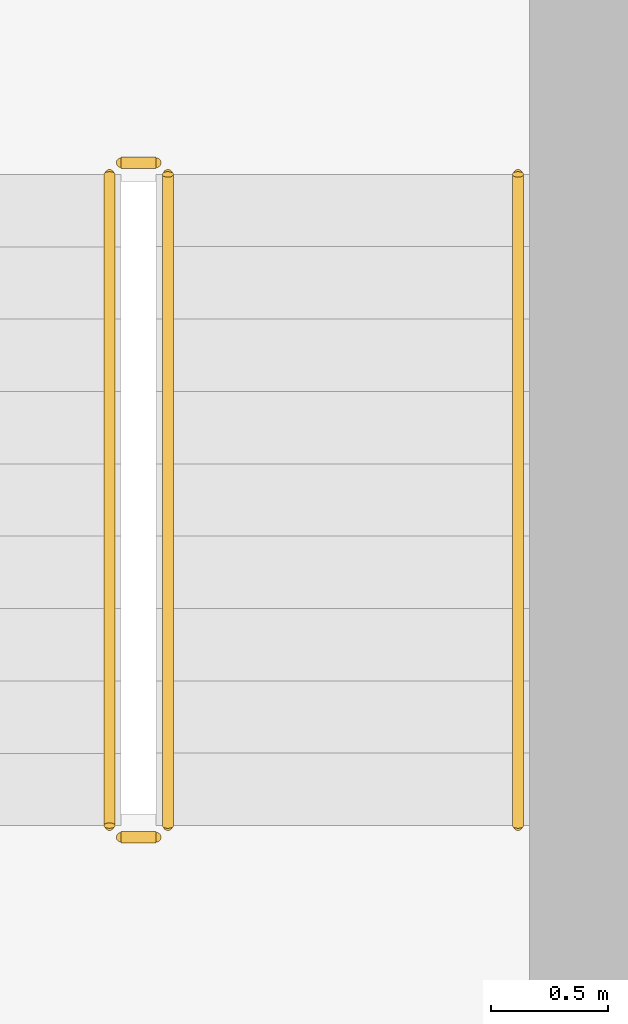
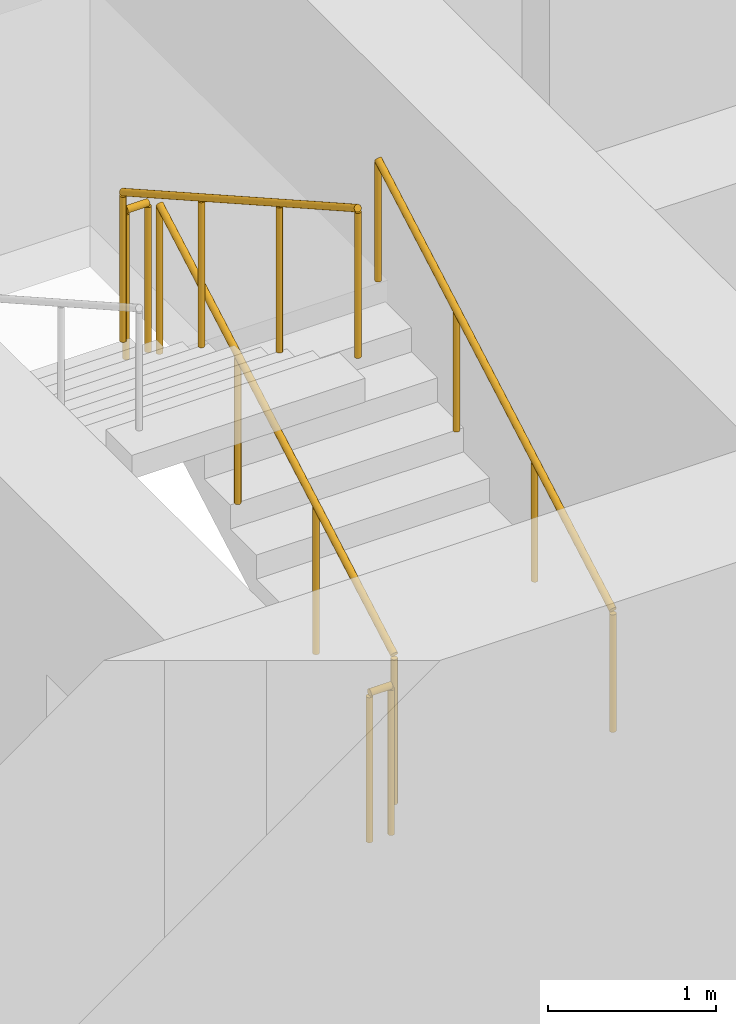
# One storey, part 17 of 21: 5 railings.
"""IFC4 building model written with IfcOpenShell, lengths in metres."""

from ifc_helpers import new_model, si_unit, direction, frame, origin, origin_2d, place, context, subcontext, project, spatial, circle, extrude, material, type_object, element, save


model = new_model("IFC4")

# Units and contexts
model_context = context("Model", 3, precision=1e-05, world=origin(), true_north=direction((0.0, 1.0)))
body_context = subcontext(model_context, "Body", "Model", "MODEL_VIEW")
ifc_project = project(units=[si_unit("LENGTHUNIT", "METRE"), si_unit("AREAUNIT", "SQUARE_METRE"), si_unit("VOLUMEUNIT", "CUBIC_METRE"), si_unit("PLANEANGLEUNIT", "RADIAN"), si_unit("MASSUNIT", "GRAM", prefix="KILO")], contexts=[model_context])

# Site, building, storey
site_placement = place(None, origin())
site = spatial("IfcSite", under=ifc_project, at=site_placement, CompositionType="ELEMENT")
building_placement = place(site_placement, origin())
building = spatial("IfcBuilding", under=site, at=building_placement, Name="Madar Terraces", CompositionType="ELEMENT")
storey_placement = place(building_placement, frame((0.0, 0.0, 39.89990234375)))
storey = spatial("IfcBuildingStorey", under=building, at=storey_placement, Name="L09", CompositionType="ELEMENT", Elevation=39.89990234375)

# Railings
ifc_material_1 = material(Name="Stainless steel railing", Category="steel")
railing_type_1 = type_object("IfcRailingType", Name="Stair guard 1100", PredefinedType="GUARDRAIL", material=ifc_material_1)
railing_1_placement = place(storey_placement, frame((21.199951171875, 17.60009765625, 0.175048828125)))
element("IfcRailing", 1, at=railing_1_placement, inside=storey, type_object=railing_type_1, Name="L09 ST1 stair guard 1", PredefinedType="GUARDRAIL", context=body_context, shape_type="SweptSolid", body=[
    extrude(circle(Radius=0.02392578125, at=origin_2d()), frame((0.0, 0.0, 1.076171875), z_axis=(0.0, 0.870815363784, 0.491610213684), x_axis=(-1.0, 0.0, 0.0)), (0.0, 0.0, 1.0), 3.20361328125),
    extrude(circle(Radius=0.02099609375, at=origin_2d()), origin(), (0.0, 0.0, 1.0), 1.052001953125),
    extrude(circle(Radius=0.02099609375, at=origin_2d()), frame((0.0, 0.929931640625, 0.52490234375)), (0.0, 0.0, 1.0), 1.052001953125),
    extrude(circle(Radius=0.02099609375, at=origin_2d()), frame((0.0, 1.85986328125, 1.050048828125)), (0.0, 0.0, 1.0), 1.052001953125),
    extrude(circle(Radius=0.02099609375, at=origin_2d()), frame((0.0, 2.789794921875, 1.574951171875)), (0.0, 0.0, 1.0), 1.052001953125),
])
railing_2_placement = place(storey_placement, frame((21.14990234375, 20.43994140625, 1.75)))
element("IfcRailing", 2, at=railing_2_placement, inside=storey, type_object=railing_type_1, Name="L09 ST1 stair guard 2", PredefinedType="GUARDRAIL", context=body_context, shape_type="SweptSolid", body=[
    extrude(circle(Radius=0.02392578125, at=origin_2d()), frame((0.0, 0.0, 1.076171875), z_axis=(-1.0, 0.0, 0.0), x_axis=(0.0, -1.0, 0.0)), (0.0, 0.0, 1.0), 0.14990234375),
    extrude(circle(Radius=0.02099609375, at=origin_2d()), origin(), (0.0, 0.0, 1.0), 1.052001953125),
    extrude(circle(Radius=0.02099609375, at=origin_2d()), frame((-0.14990234375, 0.0, 0.0)), (0.0, 0.0, 1.0), 1.052001953125),
])
railing_3_placement = place(storey_placement, frame((20.949951171875, 20.389892578125, 1.925048828125)))
element("IfcRailing", 3, at=railing_3_placement, inside=storey, type_object=railing_type_1, Name="L09 ST1 stair guard 3", PredefinedType="GUARDRAIL", context=body_context, shape_type="SweptSolid", body=[
    extrude(circle(Radius=0.02392578125, at=origin_2d()), frame((0.0, 0.0, 1.076171875), z_axis=(0.0, -0.870815363784, 0.491610213684), x_axis=(1.0, 0.0, 0.0)), (0.0, 0.0, 1.0), 3.20361328125),
    extrude(circle(Radius=0.02099609375, at=origin_2d()), origin(), (0.0, 0.0, 1.0), 1.052001953125),
    extrude(circle(Radius=0.02099609375, at=origin_2d()), frame((0.0, -0.929931640625, 0.52490234375)), (0.0, 0.0, 1.0), 1.052001953125),
    extrude(circle(Radius=0.02099609375, at=origin_2d()), frame((0.0, -1.85986328125, 1.050048828125)), (0.0, 0.0, 1.0), 1.052001953125),
    extrude(circle(Radius=0.02099609375, at=origin_2d()), frame((0.0, -2.789794921875, 1.574951171875)), (0.0, 0.0, 1.0), 1.052001953125),
])
railing_4_placement = place(storey_placement, frame((21.14990234375, 17.550048828125, 0.0)))
element("IfcRailing", 4, at=railing_4_placement, inside=storey, type_object=railing_type_1, Name="L09 ST1 stair guard 4", PredefinedType="GUARDRAIL", context=body_context, shape_type="SweptSolid", body=[
    extrude(circle(Radius=0.02392578125, at=origin_2d()), frame((0.0, 0.0, 1.076171875), z_axis=(-1.0, 0.0, 0.0), x_axis=(0.0, -1.0, 0.0)), (0.0, 0.0, 1.0), 0.14990234375),
    extrude(circle(Radius=0.02099609375, at=origin_2d()), origin(), (0.0, 0.0, 1.0), 1.052001953125),
    extrude(circle(Radius=0.02099609375, at=origin_2d()), frame((-0.14990234375, 0.0, 0.0)), (0.0, 0.0, 1.0), 1.052001953125),
])
ifc_material_2 = material(Name="Stainless steel railing", Category="steel")
railing_type_2 = type_object("IfcRailingType", Name="Stair handrail 900", PredefinedType="HANDRAIL", material=ifc_material_2)
railing_5_placement = place(storey_placement, frame((22.699951171875, 17.60009765625, 0.175048828125)))
element("IfcRailing", 5, at=railing_5_placement, inside=storey, type_object=railing_type_2, Name="L09 ST1 stair handrail 1", PredefinedType="HANDRAIL", context=body_context, shape_type="SweptSolid", body=[
    extrude(circle(Radius=0.02392578125, at=origin_2d()), frame((0.0, 0.0, 0.8759765625), z_axis=(0.0, 0.870815363784, 0.491610213684), x_axis=(-1.0, 0.0, 0.0)), (0.0, 0.0, 1.0), 3.20361328125),
    extrude(circle(Radius=0.02099609375, at=origin_2d()), origin(), (0.0, 0.0, 1.0), 0.851806640625),
    extrude(circle(Radius=0.02099609375, at=origin_2d()), frame((0.0, 0.929931640625, 0.52490234375)), (0.0, 0.0, 1.0), 0.851806640625),
    extrude(circle(Radius=0.02099609375, at=origin_2d()), frame((0.0, 1.85986328125, 1.050048828125)), (0.0, 0.0, 1.0), 0.851806640625),
    extrude(circle(Radius=0.02099609375, at=origin_2d()), frame((0.0, 2.789794921875, 1.574951171875)), (0.0, 0.0, 1.0), 0.851806640625),
])

save(model, "model.ifc")
